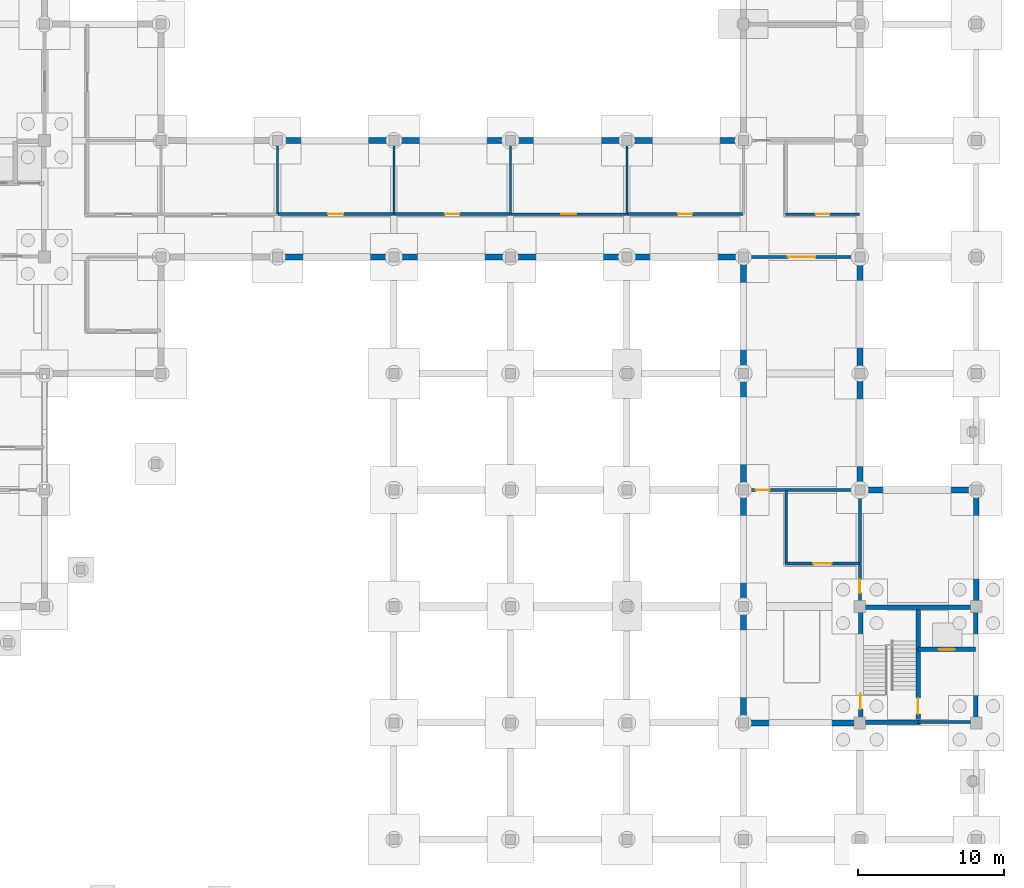
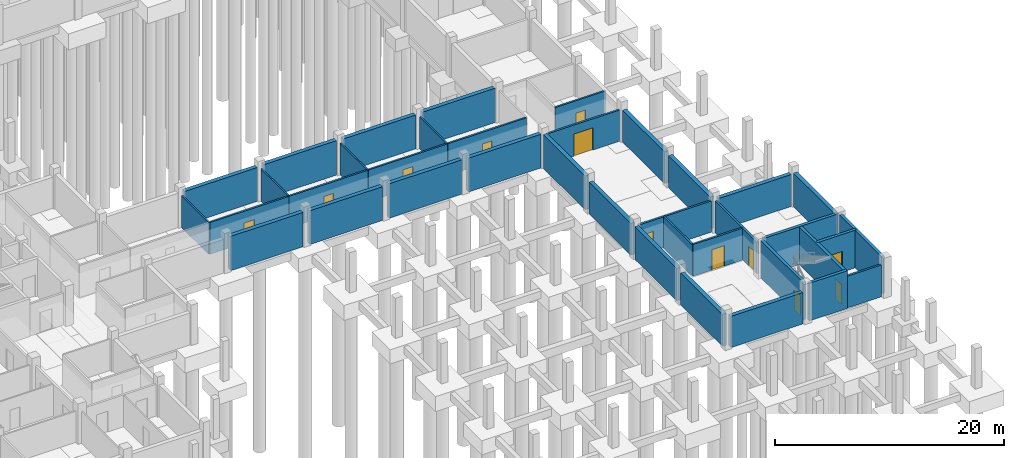
# One storey, part 36 of 48: 38 walls, 12 doors, 12 openings.
"""IFC4 building model written with IfcOpenShell, lengths in metres."""

from ifc_helpers import new_model, si_unit, derived_unit, direction, frame, frame_2d, origin, place, context, subcontext, project, spatial, rectangle, extrude, material, layer, layer_set, type_object, element, fill, save


model = new_model("IFC4")

# Units and contexts
model_context = context("Model", 3, precision=1e-05, world=origin(), true_north=direction((0.0, 1.0)))
body_context = subcontext(model_context, "Body", "Model", "MODEL_VIEW")
ifc_project = project(units=[si_unit("LENGTHUNIT", "METRE"), si_unit("AREAUNIT", "SQUARE_METRE"), si_unit("VOLUMEUNIT", "CUBIC_METRE"), si_unit("PLANEANGLEUNIT", "RADIAN"), si_unit("MASSUNIT", "GRAM", prefix="KILO"), derived_unit("THERMALTRANSMITTANCEUNIT", [(si_unit("MASSUNIT", "GRAM", prefix="KILO"), 1), (si_unit("TIMEUNIT", "SECOND"), -3), (si_unit("THERMODYNAMICTEMPERATUREUNIT", "KELVIN"), -1)])], contexts=[model_context])

# Site, building, storey
site_placement = place(None, origin())
site = spatial("IfcSite", under=ifc_project, at=site_placement, CompositionType="ELEMENT")
building_placement = place(site_placement, origin())
building = spatial("IfcBuilding", under=site, at=building_placement, Name="Veyamyaing Civic Hall", CompositionType="ELEMENT")
storey_placement = place(building_placement, frame((0.0, 0.0, -4.2900390625)))
storey = spatial("IfcBuildingStorey", under=building, at=storey_placement, Name="B1", CompositionType="ELEMENT", Elevation=-4.2900390625)

# Walls
ifc_material_1 = material(Name="Concrete C40/50", Category="concrete")
ifc_layer_1 = layer(ifc_material_1, 0.39990234375, Name="Concrete C40/50")
ifc_layer_set_1 = layer_set([ifc_layer_1], Name="Concrete C40/50")
wall_type_1 = type_object("IfcWallType", Name="WT-01", PredefinedType="SHEAR", material=ifc_layer_set_1)
wall_1_placement = place(storey_placement, frame((128.3349609375, 48.0, 0.0), z_axis=(0.0, 0.0, 1.0), x_axis=(1.0, 0.0, 0.0)))
element("IfcWall", 1, at=wall_1_placement, inside=storey, type_object=wall_type_1, Name="Basement retaining wall WT-01 S 17.7", PredefinedType="SHEAR", context=body_context, shape_type="SweptSolid", body=[
    extrude(rectangle(XDim=7.330078125, YDim=0.39990234375, at=frame_2d((3.6650390625, 0.0))), origin(), (0.0, 0.0, 1.0), 3.6640625),
])
for number, where, z_axis, x_axis, name in (
    (2, (128.3349609375, 56.0, 0.0), (0.0, 0.0, 1.0), (1.0, 0.0, 0.0), "Basement retaining wall WT-01 N 17.7"),
    (3, (136.3349609375, 48.0, 0.0), (0.0, 0.0, 1.0), (1.0, 0.0, 0.0), "Basement retaining wall WT-01 S 18.7"),
):
    element("IfcWall", number, at=place(storey_placement, frame(where, z_axis=z_axis, x_axis=x_axis)), inside=storey, type_object=wall_type_1, Name=name, PredefinedType="SHEAR", context=body_context, shape_type="SweptSolid", body=[
        extrude(rectangle(XDim=7.330078125, YDim=0.39990234375, at=frame_2d((3.6650390625, 0.0))), origin(), (0.0, 0.0, 1.0), 3.60400390625),
    ])
for number, where, z_axis, x_axis, name in (
    (4, (136.3349609375, 56.0, 0.0), (0.0, 0.0, 1.0), (1.0, 0.0, 0.0), "Basement retaining wall WT-01 N 18.7"),
    (5, (144.3349609375, 48.0, 0.0), (0.0, 0.0, 1.0), (1.0, 0.0, 0.0), "Basement retaining wall WT-01 S 19.7"),
):
    element("IfcWall", number, at=place(storey_placement, frame(where, z_axis=z_axis, x_axis=x_axis)), inside=storey, type_object=wall_type_1, Name=name, PredefinedType="SHEAR", context=body_context, shape_type="SweptSolid", body=[
        extrude(rectangle(XDim=7.330078125, YDim=0.39990234375, at=frame_2d((3.6650390625, 0.0))), origin(), (0.0, 0.0, 1.0), 3.6669921875),
    ])
for number, where, z_axis, x_axis, name in (
    (6, (144.3349609375, 56.0, 0.0), (0.0, 0.0, 1.0), (1.0, 0.0, 0.0), "Basement retaining wall WT-01 N 19.7"),
    (7, (152.3349609375, 48.0, 0.0), (0.0, 0.0, 1.0), (1.0, 0.0, 0.0), "Basement retaining wall WT-01 S 20.7"),
):
    element("IfcWall", number, at=place(storey_placement, frame(where, z_axis=z_axis, x_axis=x_axis)), inside=storey, type_object=wall_type_1, Name=name, PredefinedType="SHEAR", context=body_context, shape_type="SweptSolid", body=[
        extrude(rectangle(XDim=7.330078125, YDim=0.39990234375, at=frame_2d((3.6650390625, 0.0))), origin(), (0.0, 0.0, 1.0), 3.60009765625),
    ])
wall_2_placement = place(storey_placement, frame((152.3349609375, 56.0, 0.0), z_axis=(0.0, 0.0, 1.0), x_axis=(1.0, 0.0, 0.0)))
element("IfcWall", 8, at=wall_2_placement, inside=storey, type_object=wall_type_1, Name="Basement retaining wall WT-01 N 20.7", PredefinedType="SHEAR", context=body_context, shape_type="SweptSolid", body=[
    extrude(rectangle(XDim=7.330078125, YDim=0.39990234375, at=frame_2d((3.6650390625, 0.0))), origin(), (0.0, 0.0, 1.0), 3.6640625),
])
wall_3_placement = place(storey_placement, frame((160.3349609375, 16.0, 0.0), z_axis=(0.0, 0.0, 1.0), x_axis=(1.0, 0.0, 0.0)))
element("IfcWall", 9, at=wall_3_placement, inside=storey, type_object=wall_type_1, Name="Basement retaining wall WT-01 S 21.3", PredefinedType="SHEAR", context=body_context, shape_type="SweptSolid", body=[
    extrude(rectangle(XDim=7.280029296875, YDim=0.39990234375, at=frame_2d((3.64013671875, 0.0))), origin(), (0.0, 0.0, 1.0), 3.3330078125),
])
wall_4_placement = place(storey_placement, frame((160.0, 16.3349609375, 0.0), z_axis=(0.0, 0.0, 1.0), x_axis=(0.0, 1.0, 0.0)))
element("IfcWall", 10, at=wall_4_placement, inside=storey, type_object=wall_type_1, Name="Basement retaining wall WT-01 W 21.3", PredefinedType="SHEAR", context=body_context, shape_type="SweptSolid", body=[
    extrude(rectangle(XDim=7.330078125, YDim=0.39990234375, at=frame_2d((3.6650390625, 0.0))), origin(), (0.0, 0.0, 1.0), 3.401123046875),
])
wall_5_placement = place(storey_placement, frame((160.0, 24.3349609375, 0.0), z_axis=(0.0, 0.0, 1.0), x_axis=(0.0, 1.0, 0.0)))
element("IfcWall", 11, at=wall_5_placement, inside=storey, type_object=wall_type_1, Name="Basement retaining wall WT-01 W 21.4", PredefinedType="SHEAR", context=body_context, shape_type="SweptSolid", body=[
    extrude(rectangle(XDim=7.330078125, YDim=0.39990234375, at=frame_2d((3.6650390625, 0.0))), origin(), (0.0, 0.0, 1.0), 3.468017578125),
])
wall_6_placement = place(storey_placement, frame((160.0, 32.3349609375, 0.0), z_axis=(0.0, 0.0, 1.0), x_axis=(0.0, 1.0, 0.0)))
element("IfcWall", 12, at=wall_6_placement, inside=storey, type_object=wall_type_1, Name="Basement retaining wall WT-01 W 21.5", PredefinedType="SHEAR", context=body_context, shape_type="SweptSolid", body=[
    extrude(rectangle(XDim=7.330078125, YDim=0.39990234375, at=frame_2d((3.6650390625, 0.0))), origin(), (0.0, 0.0, 1.0), 3.400146484375),
])
wall_7_placement = place(storey_placement, frame((168.0, 32.3349609375, 0.0), z_axis=(0.0, 0.0, 1.0), x_axis=(0.0, 1.0, 0.0)))
element("IfcWall", 13, at=wall_7_placement, inside=storey, type_object=wall_type_1, Name="Basement retaining wall WT-01 E 21.5", PredefinedType="SHEAR", context=body_context, shape_type="SweptSolid", body=[
    extrude(rectangle(XDim=7.330078125, YDim=0.39990234375, at=frame_2d((3.6650390625, 0.0))), origin(), (0.0, 0.0, 1.0), 3.408935546875),
])
wall_8_placement = place(storey_placement, frame((160.0, 40.3349609375, 0.0), z_axis=(0.0, 0.0, 1.0), x_axis=(0.0, 1.0, 0.0)))
element("IfcWall", 14, at=wall_8_placement, inside=storey, type_object=wall_type_1, Name="Basement retaining wall WT-01 W 21.6", PredefinedType="SHEAR", context=body_context, shape_type="SweptSolid", body=[
    extrude(rectangle(XDim=7.330078125, YDim=0.39990234375, at=frame_2d((3.6650390625, 0.0))), origin(), (0.0, 0.0, 1.0), 3.60009765625),
])
wall_9_placement = place(storey_placement, frame((168.0, 40.3349609375, 0.0), z_axis=(0.0, 0.0, 1.0), x_axis=(0.0, 1.0, 0.0)))
element("IfcWall", 15, at=wall_9_placement, inside=storey, type_object=wall_type_1, Name="Basement retaining wall WT-01 E 21.6", PredefinedType="SHEAR", context=body_context, shape_type="SweptSolid", body=[
    extrude(rectangle(XDim=7.330078125, YDim=0.39990234375, at=frame_2d((3.6650390625, 0.0))), origin(), (0.0, 0.0, 1.0), 3.401123046875),
])
wall_10_placement = place(storey_placement, frame((168.3349609375, 32.0, 0.0), z_axis=(0.0, 0.0, 1.0), x_axis=(1.0, 0.0, 0.0)))
element("IfcWall", 16, at=wall_10_placement, inside=storey, type_object=wall_type_1, Name="Basement retaining wall WT-01 N 22.4", PredefinedType="SHEAR", context=body_context, shape_type="SweptSolid", body=[
    extrude(rectangle(XDim=7.330078125, YDim=0.39990234375, at=frame_2d((3.6650390625, 0.0))), origin(), (0.0, 0.0, 1.0), 3.400146484375),
])
wall_11_placement = place(storey_placement, frame((176.0, 24.385009765625, 0.0), z_axis=(0.0, 0.0, 1.0), x_axis=(0.0, 1.0, 0.0)))
element("IfcWall", 17, at=wall_11_placement, inside=storey, type_object=wall_type_1, Name="Basement retaining wall WT-01 E 22.4", PredefinedType="SHEAR", context=body_context, shape_type="SweptSolid", body=[
    extrude(rectangle(XDim=7.280029296875, YDim=0.39990234375, at=frame_2d((3.64013671875, 0.0))), origin(), (0.0, 0.0, 1.0), 3.60009765625),
])

# Wall, opening, door
ifc_layer_2 = layer(ifc_material_1, 0.300048828125, Name="Concrete C40/50")
ifc_layer_set_2 = layer_set([ifc_layer_2], Name="Concrete C40/50")
wall_type_2 = type_object("IfcWallType", Name="WT-05", PredefinedType="SHEAR", material=ifc_layer_set_2)
wall_12_placement = place(storey_placement, frame((168.050048828125, 16.2900390625, 0.0), z_axis=(0.0, 0.0, 1.0), x_axis=(0.0, 1.0, 0.0)))
wall_12 = element("IfcWall", 18, at=wall_12_placement, inside=storey, type_object=wall_type_2, Name="Core shear wall WT-05 CORE-8 B1.W", PredefinedType="SHEAR", context=body_context, shape_type="SweptSolid", body=[
    extrude(rectangle(XDim=7.419921875, YDim=0.300048828125, at=frame_2d((3.7099609375, 0.0))), origin(), (0.0, 0.0, 1.0), 4.01513671875),
])
opening_1_placement = place(wall_12_placement, frame((0.64990234375, 0.0, 0.0)))
opening_1 = element("IfcOpeningElement", 19, at=opening_1_placement, cuts=wall_12, Name="Opening D-12", PredefinedType="OPENING", context=body_context, shape_type="SweptSolid", body=[
    extrude(rectangle(XDim=1.050048828125, YDim=2.14990234375, at=frame_2d((0.52490234375, 1.074951171875))), frame((0.0, 0.159912109375, 0.0), z_axis=(0.0, -1.0, 0.0), x_axis=(1.0, 0.0, 0.0)), (0.0, 0.0, 1.0), 0.320068359375),
])
ifc_material_2 = material(Name="Teak-veneered acoustic timber", Category="wood")
door_type_1 = type_object("IfcDoorType", Name="D-12", OperationType="NOTDEFINED", PredefinedType="DOOR", material=ifc_material_2)
door_1_placement = place(opening_1_placement, origin())
door_1 = element("IfcDoor", 20, at=door_1_placement, inside=storey, type_object=door_type_1, Name="Protected core access door D-12 CORE-8 B1", OperationType="SINGLE_SWING_RIGHT", OverallHeight=2.14990234375, OverallWidth=1.050048828125, PredefinedType="DOOR", context=body_context, shape_type="SweptSolid", body=[
    extrude(rectangle(XDim=1.050048828125, YDim=2.14990234375, at=frame_2d((0.52490234375, 1.074951171875))), frame((0.0, 0.02490234375, 0.0), z_axis=(0.0, -1.0, 0.0), x_axis=(1.0, 0.0, 0.0)), (0.0, 0.0, 1.0), 0.050048828125),
])
fill(opening_1, door_1)

# Walls
for number, where, z_axis, x_axis, name in (
    (21, (168.2900390625, 23.949951171875, 0.0), (0.0, 0.0, 1.0), (1.0, 0.0, 0.0), "Core shear wall WT-05 CORE-8 B1.N"),
    (22, (175.949951171875, 16.2900390625, 0.0), (0.0, 0.0, 1.0), (0.0, 1.0, 0.0), "Core shear wall WT-05 CORE-8 B1.E"),
):
    element("IfcWall", number, at=place(storey_placement, frame(where, z_axis=z_axis, x_axis=x_axis)), inside=storey, type_object=wall_type_2, Name=name, PredefinedType="SHEAR", context=body_context, shape_type="SweptSolid", body=[
        extrude(rectangle(XDim=7.419921875, YDim=0.300048828125, at=frame_2d((3.7099609375, 0.0))), origin(), (0.0, 0.0, 1.0), 4.01513671875),
    ])
wall_13_placement = place(storey_placement, frame((168.2900390625, 16.050048828125, 0.0), z_axis=(0.0, 0.0, 1.0), x_axis=(1.0, 0.0, 0.0)))
element("IfcWall", 23, at=wall_13_placement, inside=storey, type_object=wall_type_2, Name="Core shear wall WT-05 CORE-8 B1.SS", PredefinedType="SHEAR", context=body_context, shape_type="SweptSolid", body=[
    extrude(rectangle(XDim=3.85986328125, YDim=0.300048828125, at=frame_2d((1.929931640625, 0.0))), origin(), (0.0, 0.0, 1.0), 4.01513671875),
])

# Wall, opening, door
wall_14_placement = place(storey_placement, frame((172.0, 16.050048828125, 0.0), z_axis=(0.0, 0.0, 1.0), x_axis=(0.0, 1.0, 0.0)))
wall_14 = element("IfcWall", 24, at=wall_14_placement, inside=storey, type_object=wall_type_2, Name="Core shear wall WT-05 CORE-8 B1.MID", PredefinedType="SHEAR", context=body_context, shape_type="SweptSolid", body=[
    extrude(rectangle(XDim=7.89990234375, YDim=0.300048828125, at=frame_2d((3.949951171875, 0.0))), origin(), (0.0, 0.0, 1.0), 4.01513671875),
])
opening_2_placement = place(wall_14_placement, frame((0.550048828125, 0.0, 0.0)))
opening_2 = element("IfcOpeningElement", 25, at=opening_2_placement, cuts=wall_14, Name="Opening D-03", PredefinedType="OPENING", context=body_context, shape_type="SweptSolid", body=[
    extrude(rectangle(XDim=1.10009765625, YDim=2.14990234375, at=frame_2d((0.550048828125, 1.074951171875))), frame((0.0, 0.159912109375, 0.0), z_axis=(0.0, -1.0, 0.0), x_axis=(1.0, 0.0, 0.0)), (0.0, 0.0, 1.0), 0.320068359375),
])
ifc_material_3 = material(Name="Galvanized steel S355J2", Category="steel")
door_type_2 = type_object("IfcDoorType", Name="D-03", OperationType="NOTDEFINED", PredefinedType="DOOR", material=ifc_material_3)
door_2_placement = place(opening_2_placement, origin())
door_2 = element("IfcDoor", 26, at=door_2_placement, inside=storey, type_object=door_type_2, Name="Exit stair fire door D-03 ST-10 B1", OperationType="SINGLE_SWING_LEFT", OverallHeight=2.14990234375, OverallWidth=1.10009765625, PredefinedType="DOOR", context=body_context, shape_type="SweptSolid", body=[
    extrude(rectangle(XDim=1.10009765625, YDim=2.14990234375, at=frame_2d((0.550048828125, 1.074951171875))), frame((0.0, 0.02490234375, 0.0), z_axis=(0.0, -1.0, 0.0), x_axis=(1.0, 0.0, 0.0)), (0.0, 0.0, 1.0), 0.050048828125),
])
fill(opening_2, door_2)

wall_15_placement = place(storey_placement, frame((172.0, 21.050048828125, 0.0), z_axis=(0.0, 0.0, 1.0), x_axis=(1.0, 0.0, 0.0)))
wall_15 = element("IfcWall", 27, at=wall_15_placement, inside=storey, type_object=wall_type_2, Name="Core shear wall WT-05 CORE-8 B1.LFT", PredefinedType="SHEAR", context=body_context, shape_type="SweptSolid", body=[
    extrude(rectangle(XDim=3.949951171875, YDim=0.300048828125, at=frame_2d((1.97509765625, 0.0))), origin(), (0.0, 0.0, 1.0), 4.01513671875),
])
opening_3_placement = place(wall_15_placement, frame((1.425048828125, 0.0, 0.0)))
opening_3 = element("IfcOpeningElement", 28, at=opening_3_placement, cuts=wall_15, Name="Opening LD-01", PredefinedType="OPENING", context=body_context, shape_type="SweptSolid", body=[
    extrude(rectangle(XDim=1.10009765625, YDim=2.199951171875, at=frame_2d((0.550048828125, 1.10009765625))), frame((0.0, 0.159912109375, 0.0), z_axis=(0.0, -1.0, 0.0), x_axis=(1.0, 0.0, 0.0)), (0.0, 0.0, 1.0), 0.320068359375),
])
ifc_material_4 = material(Name="Anodised aluminium 6063-T6", Category="aluminium")
door_type_3 = type_object("IfcDoorType", Name="LD-01", OperationType="SLIDING_TO_LEFT", PredefinedType="DOOR", material=ifc_material_4)
door_3_placement = place(opening_3_placement, origin())
door_3 = element("IfcDoor", 29, at=door_3_placement, inside=storey, type_object=door_type_3, Name="Lift sliding landing door LD-01 PL-06 B1", OperationType="SLIDING_TO_LEFT", OverallHeight=2.199951171875, OverallWidth=1.10009765625, PredefinedType="DOOR", context=body_context, shape_type="SweptSolid", body=[
    extrude(rectangle(XDim=1.10009765625, YDim=2.199951171875, at=frame_2d((0.550048828125, 1.10009765625))), frame((0.0, 0.02490234375, 0.0), z_axis=(0.0, -1.0, 0.0), x_axis=(1.0, 0.0, 0.0)), (0.0, 0.0, 1.0), 0.050048828125),
])
fill(opening_3, door_3)

# Wall
ifc_layer_3 = layer(ifc_material_1, 0.199951171875, Name="Concrete C40/50")
ifc_layer_set_3 = layer_set([ifc_layer_3], Name="Concrete C40/50")
wall_type_3 = type_object("IfcWallType", Name="WT-06", PredefinedType="PARTITIONING", material=ifc_layer_set_3)
wall_16_placement = place(storey_placement, frame((172.0, 16.050048828125, 0.0), z_axis=(0.0, 0.0, 1.0), x_axis=(1.0, 0.0, 0.0)))
element("IfcWall", 30, at=wall_16_placement, inside=storey, type_object=wall_type_3, Name="Firefighting lift lobby wall WT-06 CORE-8 B1", PredefinedType="PARTITIONING", context=body_context, shape_type="SweptSolid", body=[
    extrude(rectangle(XDim=3.610107421875, YDim=0.199951171875, at=frame_2d((1.80517578125, 0.0))), origin(), (0.0, 0.0, 1.0), 3.39404296875),
])

# Wall, opening, door
wall_17_placement = place(storey_placement, frame((168.0, 24.389892578125, 0.0), z_axis=(0.0, 0.0, 1.0), x_axis=(0.0, 1.0, 0.0)))
wall_17 = element("IfcWall", 31, at=wall_17_placement, inside=storey, type_object=wall_type_3, Name="Interior partition wall WT-06 B1.63", PredefinedType="PARTITIONING", context=body_context, shape_type="SweptSolid", body=[
    extrude(rectangle(XDim=7.27001953125, YDim=0.199951171875, at=frame_2d((3.635009765625, 0.0))), origin(), (0.0, 0.0, 1.0), 3.39306640625),
])
opening_4_placement = place(wall_17_placement, frame((0.52001953125, 0.0, 0.0)))
opening_4 = element("IfcOpeningElement", 32, at=opening_4_placement, cuts=wall_17, Name="Opening D-30", PredefinedType="OPENING", context=body_context, shape_type="SweptSolid", body=[
    extrude(rectangle(XDim=0.93994140625, YDim=2.1201171875, at=frame_2d((0.469970703125, 1.06005859375))), frame((0.0, 0.10986328125, 0.0), z_axis=(0.0, -1.0, 0.0), x_axis=(1.0, 0.0, 0.0)), (0.0, 0.0, 1.0), 0.219970703125),
])
door_type_4 = type_object("IfcDoorType", Name="D-30", OperationType="NOTDEFINED", PredefinedType="DOOR", material=ifc_material_2)
door_4_placement = place(opening_4_placement, frame((0.93994140625, 0.0, 0.0), z_axis=(0.0, 0.0, 1.0), x_axis=(-1.0, 0.0, 0.0)))
door_4 = element("IfcDoor", 33, at=door_4_placement, inside=storey, type_object=door_type_4, Name="Interior door D-30 B1.63", OperationType="SINGLE_SWING_RIGHT", OverallHeight=2.1201171875, OverallWidth=0.93994140625, PredefinedType="DOOR", context=body_context, shape_type="SweptSolid", body=[
    extrude(rectangle(XDim=0.93994140625, YDim=2.1201171875, at=frame_2d((0.469970703125, 1.06005859375))), frame((0.0, 0.02490234375, 0.0), z_axis=(0.0, -1.0, 0.0), x_axis=(1.0, 0.0, 0.0)), (0.0, 0.0, 1.0), 0.050048828125),
])
fill(opening_4, door_4)

wall_18_placement = place(storey_placement, frame((160.340087890625, 32.0, 0.0), z_axis=(0.0, 0.0, 1.0), x_axis=(1.0, 0.0, 0.0)))
wall_18 = element("IfcWall", 34, at=wall_18_placement, inside=storey, type_object=wall_type_3, Name="Interior partition wall WT-06 B1.64", PredefinedType="PARTITIONING", context=body_context, shape_type="SweptSolid", body=[
    extrude(rectangle(XDim=7.31982421875, YDim=0.199951171875, at=frame_2d((3.659912109375, 0.0))), origin(), (0.0, 0.0, 1.0), 3.317138671875),
])
opening_5_placement = place(wall_18_placement, frame((0.52001953125, 0.0, 0.0)))
opening_5 = element("IfcOpeningElement", 35, at=opening_5_placement, cuts=wall_18, Name="Opening D-30", PredefinedType="OPENING", context=body_context, shape_type="SweptSolid", body=[
    extrude(rectangle(XDim=0.93994140625, YDim=2.1201171875, at=frame_2d((0.469970703125, 1.06005859375))), frame((0.0, 0.10986328125, 0.0), z_axis=(0.0, -1.0, 0.0), x_axis=(1.0, 0.0, 0.0)), (0.0, 0.0, 1.0), 0.219970703125),
])
door_5_placement = place(opening_5_placement, origin())
door_5 = element("IfcDoor", 36, at=door_5_placement, inside=storey, type_object=door_type_4, Name="Interior door D-30 B1.64", OperationType="SINGLE_SWING_LEFT", OverallHeight=2.1201171875, OverallWidth=0.93994140625, PredefinedType="DOOR", context=body_context, shape_type="SweptSolid", body=[
    extrude(rectangle(XDim=0.93994140625, YDim=2.1201171875, at=frame_2d((0.469970703125, 1.06005859375))), frame((0.0, 0.02490234375, 0.0), z_axis=(0.0, -1.0, 0.0), x_axis=(1.0, 0.0, 0.0)), (0.0, 0.0, 1.0), 0.050048828125),
])
fill(opening_5, door_5)

wall_19_placement = place(storey_placement, frame((160.340087890625, 48.0, 0.0), z_axis=(0.0, 0.0, 1.0), x_axis=(1.0, 0.0, 0.0)))
wall_19 = element("IfcWall", 37, at=wall_19_placement, inside=storey, type_object=wall_type_3, Name="Interior partition wall WT-06 B1.65", PredefinedType="PARTITIONING", context=body_context, shape_type="SweptSolid", body=[
    extrude(rectangle(XDim=7.31982421875, YDim=0.199951171875, at=frame_2d((3.659912109375, 0.0))), origin(), (0.0, 0.0, 1.0), 3.325927734375),
])
opening_6_placement = place(wall_19_placement, frame((2.7099609375, 0.0, 0.0)))
opening_6 = element("IfcOpeningElement", 38, at=opening_6_placement, cuts=wall_19, Name="Opening D-31", PredefinedType="OPENING", context=body_context, shape_type="SweptSolid", body=[
    extrude(rectangle(XDim=1.89990234375, YDim=2.3798828125, at=frame_2d((0.949951171875, 1.18994140625))), frame((0.0, 0.10986328125, 0.0), z_axis=(0.0, -1.0, 0.0), x_axis=(1.0, 0.0, 0.0)), (0.0, 0.0, 1.0), 0.219970703125),
])
door_type_5 = type_object("IfcDoorType", Name="D-31", OperationType="DOUBLE_DOOR_SINGLE_SWING", PredefinedType="DOOR", material=ifc_material_2)
door_6_placement = place(opening_6_placement, frame((1.89990234375, 0.0, 0.0), z_axis=(0.0, 0.0, 1.0), x_axis=(-1.0, 0.0, 0.0)))
door_6 = element("IfcDoor", 39, at=door_6_placement, inside=storey, type_object=door_type_5, Name="Interior door D-31 B1.65", OperationType="DOUBLE_DOOR_SINGLE_SWING", OverallHeight=2.3798828125, OverallWidth=1.89990234375, PredefinedType="DOOR", context=body_context, shape_type="SweptSolid", body=[
    extrude(rectangle(XDim=1.89990234375, YDim=2.3798828125, at=frame_2d((0.949951171875, 1.18994140625))), frame((0.0, 0.02490234375, 0.0), z_axis=(0.0, -1.0, 0.0), x_axis=(1.0, 0.0, 0.0)), (0.0, 0.0, 1.0), 0.050048828125),
])
fill(opening_6, door_6)

ifc_material_5 = material(Name="Gypsum board on acoustic steel stud", Category="steel")
ifc_layer_4 = layer(ifc_material_5, 0.175048828125, Name="Gypsum board on acoustic steel stud")
ifc_layer_set_4 = layer_set([ifc_layer_4], Name="Gypsum board on acoustic steel stud")
wall_type_4 = type_object("IfcWallType", Name="WT-07", PredefinedType="PARTITIONING", material=ifc_layer_set_4)
wall_20_placement = place(storey_placement, frame((144.02001953125, 50.949951171875, 0.0), z_axis=(0.0, 0.0, 1.0), x_axis=(1.0, 0.0, 0.0)))
wall_20 = element("IfcWall", 40, at=wall_20_placement, inside=storey, type_object=wall_type_4, Name="Corridor gallery partition WT-07 B1.43.1", PredefinedType="PARTITIONING", context=body_context, shape_type="SweptSolid", body=[
    extrude(rectangle(XDim=7.9599609375, YDim=0.175048828125, at=frame_2d((3.97998046875, 0.0))), origin(), (0.0, 0.0, 1.0), 3.39306640625),
])
opening_7_placement = place(wall_20_placement, frame((3.469970703125, 0.0, 0.0)))
opening_7 = element("IfcOpeningElement", 41, at=opening_7_placement, cuts=wall_20, Name="Opening D-19", PredefinedType="OPENING", context=body_context, shape_type="SweptSolid", body=[
    extrude(rectangle(XDim=1.02001953125, YDim=2.199951171875, at=frame_2d((0.510009765625, 1.10009765625))), frame((0.0, 0.097412109375, 0.0), z_axis=(0.0, -1.0, 0.0), x_axis=(1.0, 0.0, 0.0)), (0.0, 0.0, 1.0), 0.195068359375),
])
door_type_6 = type_object("IfcDoorType", Name="D-19", OperationType="NOTDEFINED", PredefinedType="DOOR", material=ifc_material_2)
door_7_placement = place(opening_7_placement, origin())
door_7 = element("IfcDoor", 42, at=door_7_placement, inside=storey, type_object=door_type_6, Name="Gallery office door D-19 B1.43", OperationType="SINGLE_SWING_LEFT", OverallHeight=2.199951171875, OverallWidth=1.02001953125, PredefinedType="DOOR", context=body_context, shape_type="SweptSolid", body=[
    extrude(rectangle(XDim=1.02001953125, YDim=2.199951171875, at=frame_2d((0.510009765625, 1.10009765625))), frame((0.0, 0.02490234375, 0.0), z_axis=(0.0, -1.0, 0.0), x_axis=(1.0, 0.0, 0.0)), (0.0, 0.0, 1.0), 0.050048828125),
])
fill(opening_7, door_7)

wall_21_placement = place(storey_placement, frame((162.89990234375, 50.949951171875, 0.0), z_axis=(0.0, 0.0, 1.0), x_axis=(1.0, 0.0, 0.0)))
wall_21 = element("IfcWall", 43, at=wall_21_placement, inside=storey, type_object=wall_type_4, Name="Corridor gallery partition WT-07 B1.49.1", PredefinedType="PARTITIONING", context=body_context, shape_type="SweptSolid", body=[
    extrude(rectangle(XDim=5.080078125, YDim=0.175048828125, at=frame_2d((2.5400390625, 0.0))), origin(), (0.0, 0.0, 1.0), 3.4609375),
])
opening_8_placement = place(wall_21_placement, frame((2.070068359375, 0.0, 0.0)))
opening_8 = element("IfcOpeningElement", 44, at=opening_8_placement, cuts=wall_21, Name="Opening D-30", PredefinedType="OPENING", context=body_context, shape_type="SweptSolid", body=[
    extrude(rectangle(XDim=0.93994140625, YDim=2.1201171875, at=frame_2d((0.469970703125, 1.06005859375))), frame((0.0, 0.097412109375, 0.0), z_axis=(0.0, -1.0, 0.0), x_axis=(1.0, 0.0, 0.0)), (0.0, 0.0, 1.0), 0.195068359375),
])
door_8_placement = place(opening_8_placement, origin())
door_8 = element("IfcDoor", 45, at=door_8_placement, inside=storey, type_object=door_type_4, Name="Gallery office door D-30 B1.49", OperationType="SINGLE_SWING_LEFT", OverallHeight=2.1201171875, OverallWidth=0.93994140625, PredefinedType="DOOR", context=body_context, shape_type="SweptSolid", body=[
    extrude(rectangle(XDim=0.93994140625, YDim=2.1201171875, at=frame_2d((0.469970703125, 1.06005859375))), frame((0.0, 0.02490234375, 0.0), z_axis=(0.0, -1.0, 0.0), x_axis=(1.0, 0.0, 0.0)), (0.0, 0.0, 1.0), 0.050048828125),
])
fill(opening_8, door_8)

# Walls
ifc_material_6 = material(Name="Gypsum board on steel stud", Category="steel")
ifc_layer_5 = layer(ifc_material_6, 0.14990234375, Name="Gypsum board on steel stud")
ifc_layer_set_5 = layer_set([ifc_layer_5], Name="Gypsum board on steel stud")
wall_type_5 = type_object("IfcWallType", Name="WT-08", PredefinedType="PARTITIONING", material=ifc_layer_set_5)
wall_22_placement = place(storey_placement, frame((128.0, 50.949951171875, 0.0), z_axis=(0.0, 0.0, 1.0), x_axis=(0.0, 1.0, 0.0)))
element("IfcWall", 46, at=wall_22_placement, inside=storey, type_object=wall_type_5, Name="Gallery office end partition WT-08 B1.39.2", PredefinedType="PARTITIONING", context=body_context, shape_type="SweptSolid", body=[
    extrude(rectangle(XDim=4.68994140625, YDim=0.14990234375, at=frame_2d((2.344970703125, 0.0))), origin(), (0.0, 0.0, 1.0), 3.39404296875),
])
wall_23_placement = place(storey_placement, frame((136.0, 50.949951171875, 0.0), z_axis=(0.0, 0.0, 1.0), x_axis=(0.0, 1.0, 0.0)))
element("IfcWall", 47, at=wall_23_placement, inside=storey, type_object=wall_type_5, Name="Gallery office end partition WT-08 B1.40.2", PredefinedType="PARTITIONING", context=body_context, shape_type="SweptSolid", body=[
    extrude(rectangle(XDim=4.68994140625, YDim=0.14990234375, at=frame_2d((2.344970703125, 0.0))), origin(), (0.0, 0.0, 1.0), 3.4609375),
])
wall_24_placement = place(storey_placement, frame((144.0, 50.949951171875, 0.0), z_axis=(0.0, 0.0, 1.0), x_axis=(0.0, 1.0, 0.0)))
element("IfcWall", 48, at=wall_24_placement, inside=storey, type_object=wall_type_5, Name="Gallery office end partition WT-08 B1.42.2", PredefinedType="PARTITIONING", context=body_context, shape_type="SweptSolid", body=[
    extrude(rectangle(XDim=4.68994140625, YDim=0.14990234375, at=frame_2d((2.344970703125, 0.0))), origin(), (0.0, 0.0, 1.0), 3.39306640625),
])
wall_25_placement = place(storey_placement, frame((152.0, 50.949951171875, 0.0), z_axis=(0.0, 0.0, 1.0), x_axis=(0.0, 1.0, 0.0)))
element("IfcWall", 49, at=wall_25_placement, inside=storey, type_object=wall_type_5, Name="Gallery office end partition WT-08 B1.43.2", PredefinedType="PARTITIONING", context=body_context, shape_type="SweptSolid", body=[
    extrude(rectangle(XDim=4.68994140625, YDim=0.14990234375, at=frame_2d((2.344970703125, 0.0))), origin(), (0.0, 0.0, 1.0), 3.402099609375),
])

# Wall, opening, door
ifc_material_7 = material(Name="Gypsum board on double acoustic stud")
ifc_layer_6 = layer(ifc_material_7, 0.18505859375, Name="Gypsum board on double acoustic stud")
ifc_layer_set_6 = layer_set([ifc_layer_6], Name="Gypsum board on double acoustic stud")
wall_type_6 = type_object("IfcWallType", Name="WT-19", PredefinedType="PARTITIONING", material=ifc_layer_set_6)
wall_26_placement = place(storey_placement, frame((128.02001953125, 50.949951171875, 0.0), z_axis=(0.0, 0.0, 1.0), x_axis=(1.0, 0.0, 0.0)))
wall_26 = element("IfcWall", 50, at=wall_26_placement, inside=storey, type_object=wall_type_6, Name="Corridor gallery partition WT-19 B1.40.1", PredefinedType="PARTITIONING", context=body_context, shape_type="SweptSolid", body=[
    extrude(rectangle(XDim=7.9599609375, YDim=0.18505859375, at=frame_2d((3.97998046875, 0.0))), origin(), (0.0, 0.0, 1.0), 3.39404296875),
])
opening_9_placement = place(wall_26_placement, frame((3.455078125, 0.0, 0.0)))
opening_9 = element("IfcOpeningElement", 51, at=opening_9_placement, cuts=wall_26, Name="Opening D-12", PredefinedType="OPENING", context=body_context, shape_type="SweptSolid", body=[
    extrude(rectangle(XDim=1.050048828125, YDim=2.14990234375, at=frame_2d((0.52490234375, 1.074951171875))), frame((0.0, 0.1025390625, 0.0), z_axis=(0.0, -1.0, 0.0), x_axis=(1.0, 0.0, 0.0)), (0.0, 0.0, 1.0), 0.205078125),
])
door_9_placement = place(opening_9_placement, origin())
door_9 = element("IfcDoor", 52, at=door_9_placement, inside=storey, type_object=door_type_1, Name="Gallery office door D-12 B1.40", OperationType="SINGLE_SWING_RIGHT", OverallHeight=2.14990234375, OverallWidth=1.050048828125, PredefinedType="DOOR", context=body_context, shape_type="SweptSolid", body=[
    extrude(rectangle(XDim=1.050048828125, YDim=2.14990234375, at=frame_2d((0.52490234375, 1.074951171875))), frame((0.0, 0.02490234375, 0.0), z_axis=(0.0, -1.0, 0.0), x_axis=(1.0, 0.0, 0.0)), (0.0, 0.0, 1.0), 0.050048828125),
])
fill(opening_9, door_9)

wall_27_placement = place(storey_placement, frame((136.02001953125, 50.949951171875, 0.0), z_axis=(0.0, 0.0, 1.0), x_axis=(1.0, 0.0, 0.0)))
wall_27 = element("IfcWall", 53, at=wall_27_placement, inside=storey, type_object=wall_type_6, Name="Corridor gallery partition WT-19 B1.42.1", PredefinedType="PARTITIONING", context=body_context, shape_type="SweptSolid", body=[
    extrude(rectangle(XDim=7.9599609375, YDim=0.18505859375, at=frame_2d((3.97998046875, 0.0))), origin(), (0.0, 0.0, 1.0), 3.39306640625),
])
opening_10_placement = place(wall_27_placement, frame((3.489990234375, 0.0, 0.0)))
opening_10 = element("IfcOpeningElement", 54, at=opening_10_placement, cuts=wall_27, Name="Opening D-14", PredefinedType="OPENING", context=body_context, shape_type="SweptSolid", body=[
    extrude(rectangle(XDim=0.97998046875, YDim=2.14990234375, at=frame_2d((0.489990234375, 1.074951171875))), frame((0.0, 0.1025390625, 0.0), z_axis=(0.0, -1.0, 0.0), x_axis=(1.0, 0.0, 0.0)), (0.0, 0.0, 1.0), 0.205078125),
])
door_type_7 = type_object("IfcDoorType", Name="D-14", OperationType="NOTDEFINED", PredefinedType="DOOR", material=ifc_material_2)
door_10_placement = place(opening_10_placement, origin())
door_10 = element("IfcDoor", 55, at=door_10_placement, inside=storey, type_object=door_type_7, Name="Gallery office door D-14 B1.42", OperationType="SINGLE_SWING_RIGHT", OverallHeight=2.14990234375, OverallWidth=0.97998046875, PredefinedType="DOOR", context=body_context, shape_type="SweptSolid", body=[
    extrude(rectangle(XDim=0.97998046875, YDim=2.14990234375, at=frame_2d((0.489990234375, 1.074951171875))), frame((0.0, 0.02490234375, 0.0), z_axis=(0.0, -1.0, 0.0), x_axis=(1.0, 0.0, 0.0)), (0.0, 0.0, 1.0), 0.050048828125),
])
fill(opening_10, door_10)

wall_28_placement = place(storey_placement, frame((152.02001953125, 50.949951171875, 0.0), z_axis=(0.0, 0.0, 1.0), x_axis=(1.0, 0.0, 0.0)))
wall_28 = element("IfcWall", 56, at=wall_28_placement, inside=storey, type_object=wall_type_6, Name="Corridor gallery partition WT-19 B1.46.1", PredefinedType="PARTITIONING", context=body_context, shape_type="SweptSolid", body=[
    extrude(rectangle(XDim=7.9599609375, YDim=0.18505859375, at=frame_2d((3.97998046875, 0.0))), origin(), (0.0, 0.0, 1.0), 3.39404296875),
])
opening_11_placement = place(wall_28_placement, frame((3.5, 0.0, 0.0)))
opening_11 = element("IfcOpeningElement", 57, at=opening_11_placement, cuts=wall_28, Name="Opening D-25", PredefinedType="OPENING", context=body_context, shape_type="SweptSolid", body=[
    extrude(rectangle(XDim=0.9599609375, YDim=2.139892578125, at=frame_2d((0.47998046875, 1.06982421875))), frame((0.0, 0.1025390625, 0.0), z_axis=(0.0, -1.0, 0.0), x_axis=(1.0, 0.0, 0.0)), (0.0, 0.0, 1.0), 0.205078125),
])
door_type_8 = type_object("IfcDoorType", Name="D-25", OperationType="NOTDEFINED", PredefinedType="DOOR", material=ifc_material_2)
door_11_placement = place(opening_11_placement, origin())
door_11 = element("IfcDoor", 58, at=door_11_placement, inside=storey, type_object=door_type_8, Name="Gallery office door D-25 B1.46", OperationType="SINGLE_SWING_RIGHT", OverallHeight=2.139892578125, OverallWidth=0.9599609375, PredefinedType="DOOR", context=body_context, shape_type="SweptSolid", body=[
    extrude(rectangle(XDim=0.9599609375, YDim=2.139892578125, at=frame_2d((0.47998046875, 1.06982421875))), frame((0.0, 0.02490234375, 0.0), z_axis=(0.0, -1.0, 0.0), x_axis=(1.0, 0.0, 0.0)), (0.0, 0.0, 1.0), 0.050048828125),
])
fill(opening_11, door_11)

wall_29_placement = place(storey_placement, frame((162.89990234375, 26.949951171875, 0.0), z_axis=(0.0, 0.0, 1.0), x_axis=(1.0, 0.0, 0.0)))
wall_29 = element("IfcWall", 59, at=wall_29_placement, inside=storey, type_object=wall_type_6, Name="Corridor gallery partition WT-19 B1.48.1", PredefinedType="PARTITIONING", context=body_context, shape_type="SweptSolid", body=[
    extrude(rectangle(XDim=5.080078125, YDim=0.18505859375, at=frame_2d((2.5400390625, 0.0))), origin(), (0.0, 0.0, 1.0), 3.39306640625),
])
opening_12_placement = place(wall_29_placement, frame((1.9150390625, 0.0, 0.0)))
opening_12 = element("IfcOpeningElement", 60, at=opening_12_placement, cuts=wall_29, Name="Opening D-29", PredefinedType="OPENING", context=body_context, shape_type="SweptSolid", body=[
    extrude(rectangle(XDim=1.25, YDim=2.179931640625, at=frame_2d((0.625, 1.08984375))), frame((0.0, 0.1025390625, 0.0), z_axis=(0.0, -1.0, 0.0), x_axis=(1.0, 0.0, 0.0)), (0.0, 0.0, 1.0), 0.205078125),
])
door_type_9 = type_object("IfcDoorType", Name="D-29", OperationType="NOTDEFINED", PredefinedType="DOOR", material=ifc_material_2)
door_12_placement = place(opening_12_placement, origin())
door_12 = element("IfcDoor", 61, at=door_12_placement, inside=storey, type_object=door_type_9, Name="Gallery office door D-29 B1.48", OperationType="SINGLE_SWING_RIGHT", OverallHeight=2.179931640625, OverallWidth=1.25, PredefinedType="DOOR", context=body_context, shape_type="SweptSolid", body=[
    extrude(rectangle(XDim=1.25, YDim=2.179931640625, at=frame_2d((0.625, 1.08984375))), frame((0.0, 0.02490234375, 0.0), z_axis=(0.0, -1.0, 0.0), x_axis=(1.0, 0.0, 0.0)), (0.0, 0.0, 1.0), 0.050048828125),
])
fill(opening_12, door_12)

# Wall
wall_30_placement = place(storey_placement, frame((162.949951171875, 26.89990234375, 0.0), z_axis=(0.0, 0.0, 1.0), x_axis=(0.0, 1.0, 0.0)))
element("IfcWall", 62, at=wall_30_placement, inside=storey, type_object=wall_type_6, Name="Corridor gallery partition WT-19 B1.48.2", PredefinedType="PARTITIONING", context=body_context, shape_type="SweptSolid", body=[
    extrude(rectangle(XDim=5.080078125, YDim=0.18505859375, at=frame_2d((2.5400390625, 0.0))), origin(), (0.0, 0.0, 1.0), 3.317138671875),
])

save(model, "model.ifc")
